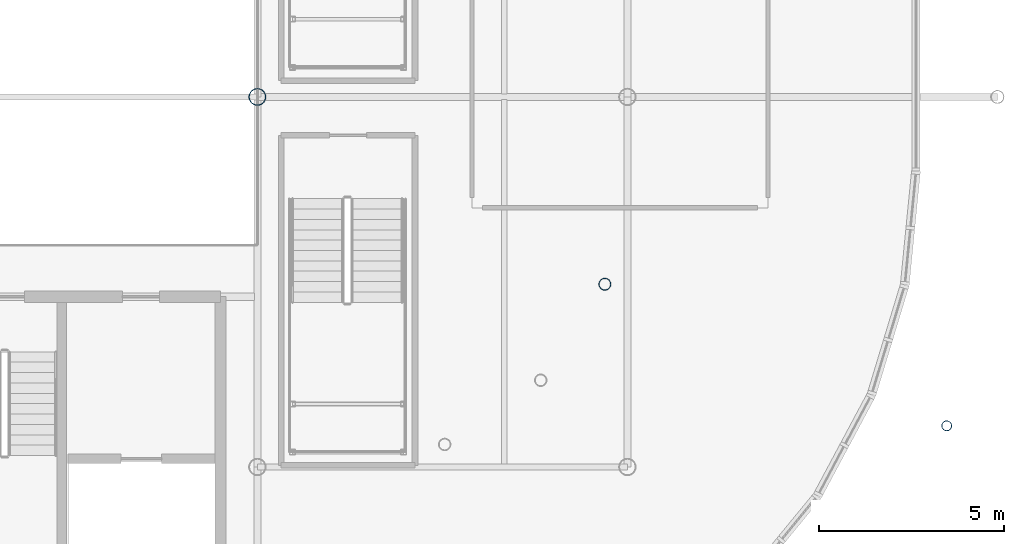
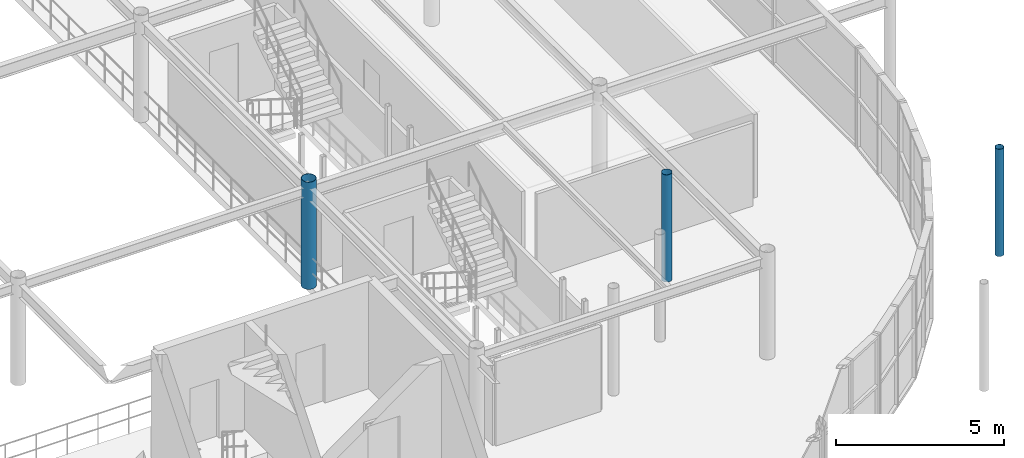
# One storey, part 28 of 98: 3 columns.
"""IFC4 building model written with IfcOpenShell, lengths in metres."""

from ifc_helpers import new_model, si_unit, derived_unit, direction, frame, origin, origin_2d_with_axis, place, context, subcontext, project, spatial, hollow_circle, extrude, material, material_profile, profile_set, type_object, element, save


model = new_model("IFC4")

# Units and contexts
model_context = context("Model", 3, precision=1e-05, world=origin(), true_north=direction((0.0, 1.0)))
body_context = subcontext(model_context, "Body", "Model", "MODEL_VIEW")
ifc_project = project(units=[si_unit("LENGTHUNIT", "METRE"), si_unit("AREAUNIT", "SQUARE_METRE"), si_unit("VOLUMEUNIT", "CUBIC_METRE"), si_unit("PLANEANGLEUNIT", "RADIAN"), si_unit("MASSUNIT", "GRAM", prefix="KILO"), derived_unit("THERMALTRANSMITTANCEUNIT", [(si_unit("POWERUNIT", "WATT"), 1), (si_unit("LENGTHUNIT", "METRE"), -2), (si_unit("THERMODYNAMICTEMPERATUREUNIT", "KELVIN"), -1)])], contexts=[model_context])

# Site, building, storey
site_placement = place(None, origin())
site = spatial("IfcSite", under=ifc_project, at=site_placement, CompositionType="ELEMENT")
building_placement = place(site_placement, origin())
building = spatial("IfcBuilding", under=site, at=building_placement, Name="Cinnabar Yard Market Hall", CompositionType="ELEMENT")
storey_placement = place(building_placement, frame((0.0, 0.0, 4.5)))
storey = spatial("IfcBuildingStorey", under=building, at=storey_placement, Name="L01", CompositionType="ELEMENT", Elevation=4.5)

# Columns
ifc_material = material(Name="Spotted-gum glulam-clad steel Grade 350 (350 MPa)", Category="steel")
ifc_material_profile_1 = material_profile(ifc_material, hollow_circle(Radius=0.228515625, WallThickness=0.0126953125, at=origin_2d_with_axis()), Name="457.0x12.7CHS")
ifc_profile_set_1 = profile_set([ifc_material_profile_1], Name="Spotted-gum glulam-clad steel Grade 350 (350 MPa)")
column_type_1 = type_object("IfcColumnType", Name="COL-C01", PredefinedType="COLUMN", material=ifc_profile_set_1)
column_1_placement = place(storey_placement, frame((146.0, 34.0, 0.0), z_axis=(0.0, 0.0, 1.0), x_axis=(1.0, 0.0, 0.0)))
element("IfcColumn", 1, at=column_1_placement, inside=storey, type_object=column_type_1, Name="Tree Column V1I-08-02 L01", PredefinedType="COLUMN", context=body_context, shape_type="SweptSolid", body=[
    extrude(hollow_circle(Radius=0.228515625, WallThickness=0.0126953125, at=origin_2d_with_axis()), origin(), (0.0, 0.0, 1.0), 3.89990234375),
])
ifc_material_profile_2 = material_profile(ifc_material, hollow_circle(Radius=0.161865234375, WallThickness=0.009521484375, at=origin_2d_with_axis()), Name="323.9x9.5CHS")
ifc_profile_set_2 = profile_set([ifc_material_profile_2], Name="Spotted-gum glulam-clad steel Grade 350 (350 MPa)")
column_type_2 = type_object("IfcColumnType", Name="COL-C03", PredefinedType="COLUMN", material=ifc_profile_set_2)
column_2_placement = place(storey_placement, frame((155.39111328125, 28.9384765625, 0.0), z_axis=(0.0, 0.0, 1.0), x_axis=(1.0, 0.0, 0.0)))
element("IfcColumn", 2, at=column_2_placement, inside=storey, type_object=column_type_2, Name="Tree Column V1IC-SE6 L01", PredefinedType="COLUMN", context=body_context, shape_type="SweptSolid", body=[
    extrude(hollow_circle(Radius=0.161865234375, WallThickness=0.009521484375, at=origin_2d_with_axis()), origin(), (0.0, 0.0, 1.0), 3.89990234375),
])
ifc_material_profile_3 = material_profile(ifc_material, hollow_circle(Radius=0.136474609375, WallThickness=0.00927734375, at=origin_2d_with_axis()), Name="273.1x9.3CHS")
ifc_profile_set_3 = profile_set([ifc_material_profile_3], Name="Spotted-gum glulam-clad steel Grade 350 (350 MPa)")
column_type_3 = type_object("IfcColumnType", Name="COL-C04E", PredefinedType="COLUMN", material=ifc_profile_set_3)
column_3_placement = place(storey_placement, frame((164.6298828125, 25.11181640625, 0.0), z_axis=(0.0, 0.0, 1.0), x_axis=(1.0, 0.0, 0.0)))
element("IfcColumn", 3, at=column_3_placement, inside=storey, type_object=column_type_3, Name="Tree Column V1C-SE6 L01", PredefinedType="COLUMN", context=body_context, shape_type="SweptSolid", body=[
    extrude(hollow_circle(Radius=0.136474609375, WallThickness=0.00927734375, at=origin_2d_with_axis()), origin(), (0.0, 0.0, 1.0), 3.89990234375),
])

save(model, "model.ifc")
